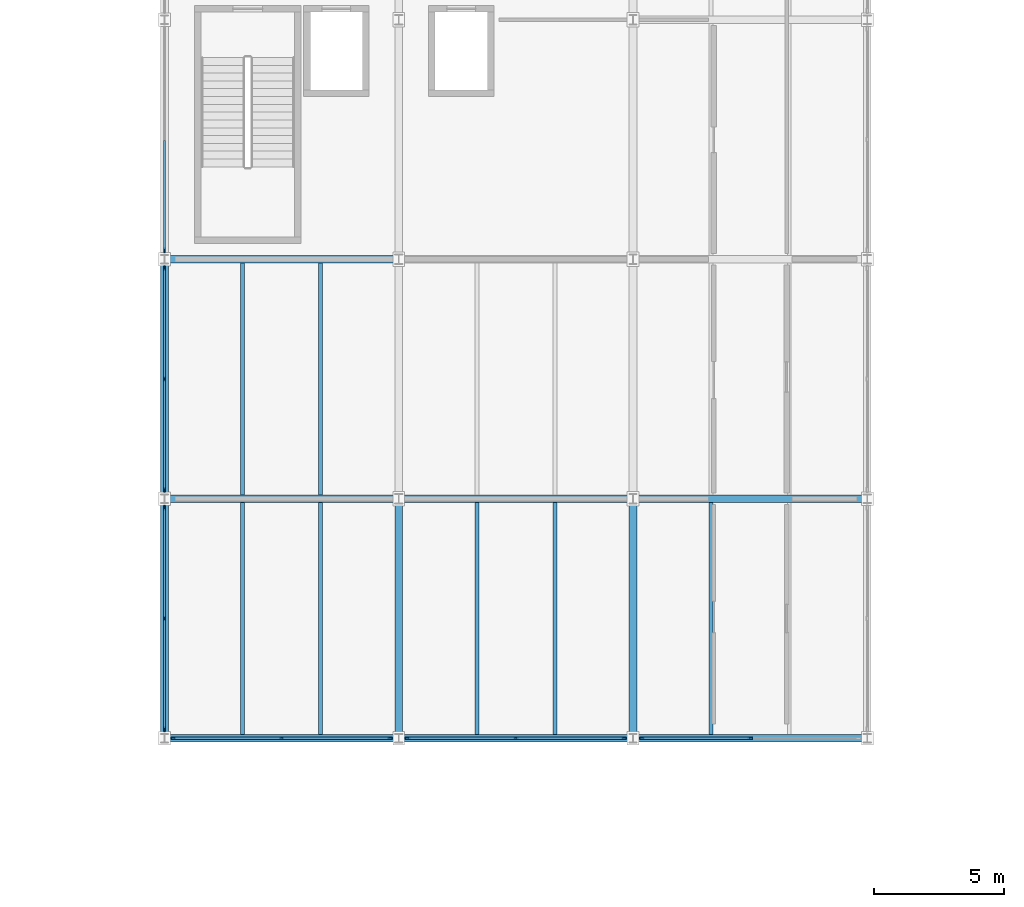
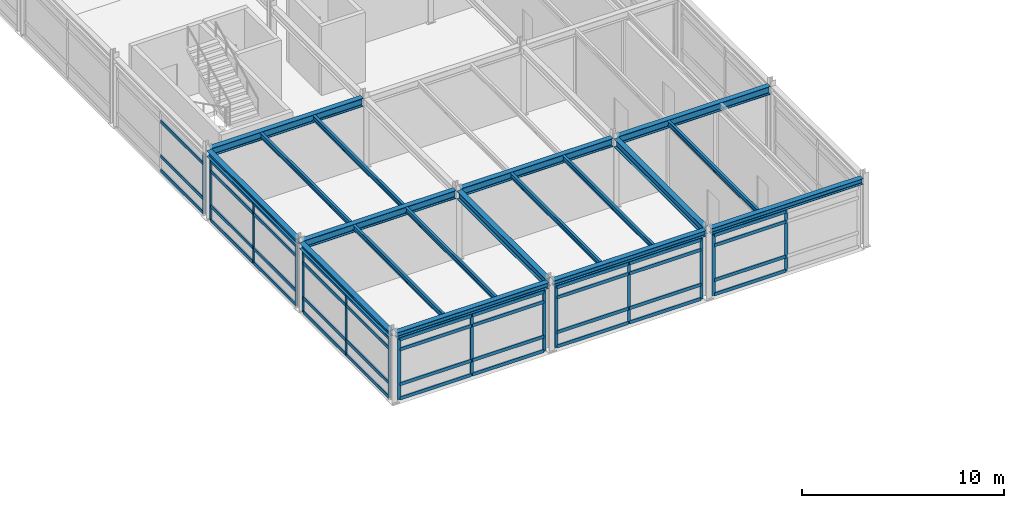
# One storey, part 17 of 55: 54 members, 18 beams, 6 elements without a shape of their own.
"""IFC4 building model written with IfcOpenShell, lengths in metres."""

from ifc_helpers import new_model, si_unit, direction, frame, origin, origin_2d, place, context, subcontext, project, spatial, rectangle, i_section, extrude, material, material_profile, profile_set, type_object, element, aggregate, save


model = new_model("IFC4")

# Units and contexts
model_context = context("Model", 3, precision=1e-05, world=origin(), true_north=direction((0.0, 1.0)))
body_context = subcontext(model_context, "Body", "Model", "MODEL_VIEW")
ifc_project = project(units=[si_unit("LENGTHUNIT", "METRE"), si_unit("AREAUNIT", "SQUARE_METRE"), si_unit("VOLUMEUNIT", "CUBIC_METRE"), si_unit("PLANEANGLEUNIT", "RADIAN"), si_unit("MASSUNIT", "GRAM", prefix="KILO")], contexts=[model_context])

# Site, building, storey
site_placement = place(None, origin())
site = spatial("IfcSite", under=ifc_project, at=site_placement, CompositionType="ELEMENT")
building_placement = place(site_placement, origin())
building = spatial("IfcBuilding", under=site, at=building_placement, Name="Bozkorgan Art Gallery", CompositionType="ELEMENT")
storey_placement = place(building_placement, frame((0.0, 0.0, 15.0)))
storey = spatial("IfcBuildingStorey", under=building, at=storey_placement, Name="L03", CompositionType="ELEMENT", Elevation=15.0)

# Beams
ifc_material_1 = material(Name="Steel S355J2", Category="steel")
ifc_material_profile_1 = material_profile(ifc_material_1, i_section(OverallWidth=0.300048828125, OverallDepth=0.489990234375, WebThickness=0.011962890625, FlangeThickness=0.02294921875, FilletRadius=0.027099609375, at=origin_2d()), Name="HEA 500")
ifc_profile_set_1 = profile_set([ifc_material_profile_1], Name="Steel S355J2")
beam_type_1 = type_object("IfcBeamType", Name="BEAM-BM-42", PredefinedType="BEAM", material=ifc_profile_set_1)
for number, where, z_axis, x_axis, name in (
    (1, (74.14990234375, 47.60009765625, 3.93505859375), (1.0, 0.0, 0.0), (0.0, 1.0, 0.0), "V4 L03 beam X (74-83, 47.6)"),
    (2, (83.14990234375, 47.60009765625, 3.93505859375), (1.0, 0.0, 0.0), (0.0, 1.0, 0.0), "V4 L03 beam X (83-92, 47.6)"),
    (3, (92.14990234375, 47.60009765625, 3.93505859375), (1.0, 0.0, 0.0), (0.0, 1.0, 0.0), "V4 L03 beam X (92-101, 47.6)"),
    (4, (74.14990234375, 56.800048828125, 3.93505859375), (1.0, 0.0, 0.0), (0.0, 1.0, 0.0), "V4 L03 beam X (74-83, 56.8)"),
):
    element("IfcBeam", number, at=place(storey_placement, frame(where, z_axis=z_axis, x_axis=x_axis)), inside=storey, type_object=beam_type_1, Name=name, PredefinedType="BEAM", context=body_context, shape_type="SweptSolid", body=[
        extrude(i_section(OverallWidth=0.300048828125, OverallDepth=0.489990234375, WebThickness=0.011962890625, FlangeThickness=0.02294921875, FilletRadius=0.027099609375, at=origin_2d()), origin(), (0.0, 0.0, 1.0), 8.7001953125),
    ])
for number, where, z_axis, x_axis, name in (
    (5, (83.0, 38.580078125, 3.93505859375), (0.0, 1.0, 0.0), (-1.0, 0.0, 0.0), "V4 L03 beam Y (83, 38.4-47.6)"),
    (6, (92.0, 38.580078125, 3.93505859375), (0.0, 1.0, 0.0), (-1.0, 0.0, 0.0), "V4 L03 beam Y (92, 38.4-47.6)"),
):
    element("IfcBeam", number, at=place(storey_placement, frame(where, z_axis=z_axis, x_axis=x_axis)), inside=storey, type_object=beam_type_1, Name=name, PredefinedType="BEAM", context=body_context, shape_type="SweptSolid", body=[
        extrude(i_section(OverallWidth=0.300048828125, OverallDepth=0.489990234375, WebThickness=0.011962890625, FlangeThickness=0.02294921875, FilletRadius=0.027099609375, at=origin_2d()), origin(), (0.0, 0.0, 1.0), 8.824951171875),
    ])
ifc_material_profile_2 = material_profile(ifc_material_1, i_section(OverallWidth=0.14990234375, OverallDepth=0.300048828125, WebThickness=0.007080078125, FlangeThickness=0.0107421875, FilletRadius=0.014892578125, at=origin_2d()), Name="IPE 300")
ifc_profile_set_2 = profile_set([ifc_material_profile_2], Name="Steel S355J2")
beam_type_2 = type_object("IfcBeamType", Name="BEAM-JS-88", PredefinedType="JOIST", material=ifc_profile_set_2)
for number, where, z_axis, x_axis, name in (
    (7, (77.0, 38.550048828125, 4.030029296875), (0.0, 1.0, 0.0), (-1.0, 0.0, 0.0), "V4 L03 secondary joist (74-83, 38.4-47.6) #1"),
    (8, (80.0, 38.550048828125, 4.030029296875), (0.0, 1.0, 0.0), (-1.0, 0.0, 0.0), "V4 L03 secondary joist (74-83, 38.4-47.6) #2"),
    (9, (77.0, 47.75, 4.030029296875), (0.0, 1.0, 0.0), (-1.0, 0.0, 0.0), "V4 L03 secondary joist (74-83, 47.6-56.8) #1"),
    (10, (80.0, 47.75, 4.030029296875), (0.0, 1.0, 0.0), (-1.0, 0.0, 0.0), "V4 L03 secondary joist (74-83, 47.6-56.8) #2"),
    (11, (86.0, 38.550048828125, 4.030029296875), (0.0, 1.0, 0.0), (-1.0, 0.0, 0.0), "V4 L03 secondary joist (83-92, 38.4-47.6) #1"),
    (12, (89.0, 38.550048828125, 4.030029296875), (0.0, 1.0, 0.0), (-1.0, 0.0, 0.0), "V4 L03 secondary joist (83-92, 38.4-47.6) #2"),
    (13, (95.0, 38.550048828125, 4.030029296875), (0.0, 1.0, 0.0), (-1.0, 0.0, 0.0), "V4 L03 secondary joist (92-101, 38.4-47.6) #1"),
):
    element("IfcBeam", number, at=place(storey_placement, frame(where, z_axis=z_axis, x_axis=x_axis)), inside=storey, type_object=beam_type_2, Name=name, PredefinedType="JOIST", context=body_context, shape_type="SweptSolid", body=[
        extrude(i_section(OverallWidth=0.14990234375, OverallDepth=0.300048828125, WebThickness=0.007080078125, FlangeThickness=0.0107421875, FilletRadius=0.014892578125, at=origin_2d()), origin(), (0.0, 0.0, 1.0), 8.89990234375),
    ])
ifc_material_profile_3 = material_profile(ifc_material_1, i_section(OverallWidth=0.300048828125, OverallDepth=0.35009765625, WebThickness=0.010009765625, FlangeThickness=0.017578125, FilletRadius=0.027099609375, at=origin_2d()), Name="HEA 360")
ifc_profile_set_3 = profile_set([ifc_material_profile_3], Name="Steel S355J2")
beam_type_3 = type_object("IfcBeamType", Name="BEAM-SP-97", PredefinedType="SPANDREL", material=ifc_profile_set_3)
for number, where, z_axis, x_axis, name in (
    (14, (74.14990234375, 38.39990234375, 4.0048828125), (1.0, 0.0, 0.0), (0.0, 1.0, 0.0), "V4 L03 spandrel X (74-83, 38.4)"),
    (15, (83.14990234375, 38.39990234375, 4.0048828125), (1.0, 0.0, 0.0), (0.0, 1.0, 0.0), "V4 L03 spandrel X (83-92, 38.4)"),
    (16, (92.14990234375, 38.39990234375, 4.0048828125), (1.0, 0.0, 0.0), (0.0, 1.0, 0.0), "V4 L03 spandrel X (92-101, 38.4)"),
):
    element("IfcBeam", number, at=place(storey_placement, frame(where, z_axis=z_axis, x_axis=x_axis)), inside=storey, type_object=beam_type_3, Name=name, PredefinedType="SPANDREL", context=body_context, shape_type="SweptSolid", body=[
        extrude(i_section(OverallWidth=0.300048828125, OverallDepth=0.35009765625, WebThickness=0.010009765625, FlangeThickness=0.017578125, FilletRadius=0.027099609375, at=origin_2d()), origin(), (0.0, 0.0, 1.0), 8.7001953125),
    ])
beam_1_placement = place(storey_placement, frame((74.0, 38.580078125, 4.0048828125), z_axis=(0.0, 1.0, 0.0), x_axis=(-1.0, 0.0, 0.0)))
element("IfcBeam", 17, at=beam_1_placement, inside=storey, type_object=beam_type_3, Name="V4 L03 spandrel Y (74, 38.4-47.6)", PredefinedType="SPANDREL", context=body_context, shape_type="SweptSolid", body=[
    extrude(i_section(OverallWidth=0.300048828125, OverallDepth=0.35009765625, WebThickness=0.010009765625, FlangeThickness=0.017578125, FilletRadius=0.027099609375, at=origin_2d()), origin(), (0.0, 0.0, 1.0), 8.83984375),
])
beam_2_placement = place(storey_placement, frame((74.0, 47.780029296875, 4.0048828125), z_axis=(0.0, 1.0, 0.0), x_axis=(-1.0, 0.0, 0.0)))
element("IfcBeam", 18, at=beam_2_placement, inside=storey, type_object=beam_type_3, Name="V4 L03 spandrel Y (74, 47.6-56.8)", PredefinedType="SPANDREL", context=body_context, shape_type="SweptSolid", body=[
    extrude(i_section(OverallWidth=0.300048828125, OverallDepth=0.35009765625, WebThickness=0.010009765625, FlangeThickness=0.017578125, FilletRadius=0.027099609375, at=origin_2d()), origin(), (0.0, 0.0, 1.0), 8.840087890625),
])

# Curtain wall, members
ifc_material_2 = material(Name="Anodised Bronze Aluminium", Category="aluminium")
curtain_wall_type_1 = type_object("IfcCurtainWallType", Name="CW-CW-32", PredefinedType="NOTDEFINED", material=ifc_material_2)
curtain_wall_1_placement = place(storey_placement, origin())
curtain_wall_1 = element("IfcCurtainWall", 19, at=curtain_wall_1_placement, inside=storey, type_object=curtain_wall_type_1, Name="L03 unitised curtain wall CW-V4-L03-1S-01", PredefinedType="NOTDEFINED")
ifc_material_profile_4 = material_profile(ifc_material_2, rectangle(XDim=0.06494140625, YDim=0.179931640625, at=origin_2d()), Name="ALU MULLION 65x180")
ifc_profile_set_4 = profile_set([ifc_material_profile_4], Name="Anodised Bronze Aluminium")
member_type_1 = type_object("IfcMemberType", Name="CWM-01", PredefinedType="MULLION", material=ifc_profile_set_4)
member_1_placement = place(storey_placement, frame((74.347412109375, 38.39990234375, 0.02001953125), z_axis=(0.0, 0.0, 1.0), x_axis=(0.0, 1.0, 0.0)))
member_1 = element("IfcMember", 20, at=member_1_placement, type_object=member_type_1, Name="CW-32 mullion 1", PredefinedType="MULLION", context=body_context, shape_type="SweptSolid", body=[
    extrude(rectangle(XDim=0.06494140625, YDim=0.179931640625, at=origin_2d()), origin(), (0.0, 0.0, 1.0), 3.655029296875),
])
member_2_placement = place(storey_placement, frame((78.5, 38.39990234375, 0.02001953125), z_axis=(0.0, 0.0, 1.0), x_axis=(0.0, 1.0, 0.0)))
member_2 = element("IfcMember", 21, at=member_2_placement, type_object=member_type_1, Name="CW-32 mullion 2", PredefinedType="MULLION", context=body_context, shape_type="SweptSolid", body=[
    extrude(rectangle(XDim=0.06494140625, YDim=0.179931640625, at=origin_2d()), origin(), (0.0, 0.0, 1.0), 3.655029296875),
])
member_3_placement = place(storey_placement, frame((82.652587890625, 38.39990234375, 0.02001953125), z_axis=(0.0, 0.0, 1.0), x_axis=(0.0, 1.0, 0.0)))
member_3 = element("IfcMember", 22, at=member_3_placement, type_object=member_type_1, Name="CW-32 mullion 3", PredefinedType="MULLION", context=body_context, shape_type="SweptSolid", body=[
    extrude(rectangle(XDim=0.06494140625, YDim=0.179931640625, at=origin_2d()), origin(), (0.0, 0.0, 1.0), 3.655029296875),
])

curtain_wall_2_placement = place(storey_placement, origin())
curtain_wall_2 = element("IfcCurtainWall", 23, at=curtain_wall_2_placement, inside=storey, type_object=curtain_wall_type_1, Name="L03 unitised curtain wall CW-V4-L03-1S-03", PredefinedType="NOTDEFINED")
member_4_placement = place(storey_placement, frame((83.347412109375, 38.39990234375, 0.02001953125), z_axis=(0.0, 0.0, 1.0), x_axis=(0.0, 1.0, 0.0)))
member_4 = element("IfcMember", 24, at=member_4_placement, type_object=member_type_1, Name="CW-32 mullion 1", PredefinedType="MULLION", context=body_context, shape_type="SweptSolid", body=[
    extrude(rectangle(XDim=0.06494140625, YDim=0.179931640625, at=origin_2d()), origin(), (0.0, 0.0, 1.0), 3.655029296875),
])
member_5_placement = place(storey_placement, frame((87.5, 38.39990234375, 0.02001953125), z_axis=(0.0, 0.0, 1.0), x_axis=(0.0, 1.0, 0.0)))
member_5 = element("IfcMember", 25, at=member_5_placement, type_object=member_type_1, Name="CW-32 mullion 2", PredefinedType="MULLION", context=body_context, shape_type="SweptSolid", body=[
    extrude(rectangle(XDim=0.06494140625, YDim=0.179931640625, at=origin_2d()), origin(), (0.0, 0.0, 1.0), 3.655029296875),
])
member_6_placement = place(storey_placement, frame((91.652587890625, 38.39990234375, 0.02001953125), z_axis=(0.0, 0.0, 1.0), x_axis=(0.0, 1.0, 0.0)))
member_6 = element("IfcMember", 26, at=member_6_placement, type_object=member_type_1, Name="CW-32 mullion 3", PredefinedType="MULLION", context=body_context, shape_type="SweptSolid", body=[
    extrude(rectangle(XDim=0.06494140625, YDim=0.179931640625, at=origin_2d()), origin(), (0.0, 0.0, 1.0), 3.655029296875),
])

curtain_wall_3_placement = place(storey_placement, origin())
curtain_wall_3 = element("IfcCurtainWall", 27, at=curtain_wall_3_placement, inside=storey, type_object=curtain_wall_type_1, Name="L03 unitised curtain wall CW-V4-L03-1S-05", PredefinedType="NOTDEFINED")
member_7_placement = place(storey_placement, frame((92.347412109375, 38.39990234375, 0.02001953125), z_axis=(0.0, 0.0, 1.0), x_axis=(0.0, 1.0, 0.0)))
member_7 = element("IfcMember", 28, at=member_7_placement, type_object=member_type_1, Name="CW-32 mullion 1", PredefinedType="MULLION", context=body_context, shape_type="SweptSolid", body=[
    extrude(rectangle(XDim=0.06494140625, YDim=0.179931640625, at=origin_2d()), origin(), (0.0, 0.0, 1.0), 3.655029296875),
])
member_8_placement = place(storey_placement, frame((96.5, 38.39990234375, 0.02001953125), z_axis=(0.0, 0.0, 1.0), x_axis=(0.0, 1.0, 0.0)))
member_8 = element("IfcMember", 29, at=member_8_placement, type_object=member_type_1, Name="CW-32 mullion 2", PredefinedType="MULLION", context=body_context, shape_type="SweptSolid", body=[
    extrude(rectangle(XDim=0.06494140625, YDim=0.179931640625, at=origin_2d()), origin(), (0.0, 0.0, 1.0), 3.655029296875),
])

curtain_wall_type_2 = type_object("IfcCurtainWallType", Name="CW-CW-59", PredefinedType="NOTDEFINED", material=ifc_material_2)
curtain_wall_4_placement = place(storey_placement, origin())
curtain_wall_4 = element("IfcCurtainWall", 30, at=curtain_wall_4_placement, inside=storey, type_object=curtain_wall_type_2, Name="L03 unitised curtain wall CW-V4-L03-1W-07", PredefinedType="NOTDEFINED")
member_9_placement = place(storey_placement, frame((74.0, 38.74755859375, 0.02001953125), z_axis=(0.0, 0.0, 1.0), x_axis=(-1.0, 0.0, 0.0)))
member_9 = element("IfcMember", 31, at=member_9_placement, type_object=member_type_1, Name="CW-59 mullion 1", PredefinedType="MULLION", context=body_context, shape_type="SweptSolid", body=[
    extrude(rectangle(XDim=0.06494140625, YDim=0.179931640625, at=origin_2d()), origin(), (0.0, 0.0, 1.0), 3.655029296875),
])
member_10_placement = place(storey_placement, frame((74.0, 43.0, 0.02001953125), z_axis=(0.0, 0.0, 1.0), x_axis=(-1.0, 0.0, 0.0)))
member_10 = element("IfcMember", 32, at=member_10_placement, type_object=member_type_1, Name="CW-59 mullion 2", PredefinedType="MULLION", context=body_context, shape_type="SweptSolid", body=[
    extrude(rectangle(XDim=0.06494140625, YDim=0.179931640625, at=origin_2d()), origin(), (0.0, 0.0, 1.0), 3.655029296875),
])
member_11_placement = place(storey_placement, frame((74.0, 47.25244140625, 0.02001953125), z_axis=(0.0, 0.0, 1.0), x_axis=(-1.0, 0.0, 0.0)))
member_11 = element("IfcMember", 33, at=member_11_placement, type_object=member_type_1, Name="CW-59 mullion 3", PredefinedType="MULLION", context=body_context, shape_type="SweptSolid", body=[
    extrude(rectangle(XDim=0.06494140625, YDim=0.179931640625, at=origin_2d()), origin(), (0.0, 0.0, 1.0), 3.655029296875),
])

curtain_wall_5_placement = place(storey_placement, origin())
curtain_wall_5 = element("IfcCurtainWall", 34, at=curtain_wall_5_placement, inside=storey, type_object=curtain_wall_type_2, Name="L03 unitised curtain wall CW-V4-L03-1W-09", PredefinedType="NOTDEFINED")
member_12_placement = place(storey_placement, frame((74.0, 47.947509765625, 0.02001953125), z_axis=(0.0, 0.0, 1.0), x_axis=(-1.0, 0.0, 0.0)))
member_12 = element("IfcMember", 35, at=member_12_placement, type_object=member_type_1, Name="CW-59 mullion 1", PredefinedType="MULLION", context=body_context, shape_type="SweptSolid", body=[
    extrude(rectangle(XDim=0.06494140625, YDim=0.179931640625, at=origin_2d()), origin(), (0.0, 0.0, 1.0), 3.655029296875),
])
member_13_placement = place(storey_placement, frame((74.0, 52.199951171875, 0.02001953125), z_axis=(0.0, 0.0, 1.0), x_axis=(-1.0, 0.0, 0.0)))
member_13 = element("IfcMember", 36, at=member_13_placement, type_object=member_type_1, Name="CW-59 mullion 2", PredefinedType="MULLION", context=body_context, shape_type="SweptSolid", body=[
    extrude(rectangle(XDim=0.06494140625, YDim=0.179931640625, at=origin_2d()), origin(), (0.0, 0.0, 1.0), 3.655029296875),
])
member_14_placement = place(storey_placement, frame((74.0, 56.452392578125, 0.02001953125), z_axis=(0.0, 0.0, 1.0), x_axis=(-1.0, 0.0, 0.0)))
member_14 = element("IfcMember", 37, at=member_14_placement, type_object=member_type_1, Name="CW-59 mullion 3", PredefinedType="MULLION", context=body_context, shape_type="SweptSolid", body=[
    extrude(rectangle(XDim=0.06494140625, YDim=0.179931640625, at=origin_2d()), origin(), (0.0, 0.0, 1.0), 3.655029296875),
])

# Curtain wall, member
curtain_wall_6_placement = place(storey_placement, origin())
curtain_wall_6 = element("IfcCurtainWall", 38, at=curtain_wall_6_placement, inside=storey, type_object=curtain_wall_type_2, Name="L03 unitised curtain wall CW-V4-L03-1W-11", PredefinedType="NOTDEFINED")
member_15_placement = place(storey_placement, frame((74.0, 57.1474609375, 0.02001953125), z_axis=(0.0, 0.0, 1.0), x_axis=(-1.0, 0.0, 0.0)))
member_15 = element("IfcMember", 39, at=member_15_placement, type_object=member_type_1, Name="CW-59 mullion 1", PredefinedType="MULLION", context=body_context, shape_type="SweptSolid", body=[
    extrude(rectangle(XDim=0.06494140625, YDim=0.179931640625, at=origin_2d()), origin(), (0.0, 0.0, 1.0), 3.655029296875),
])

# Member
ifc_material_profile_5 = material_profile(ifc_material_2, rectangle(XDim=0.080078125, YDim=0.199951171875, at=origin_2d()), Name="ALU TRANSOM 80x200")
ifc_profile_set_5 = profile_set([ifc_material_profile_5], Name="Anodised Bronze Aluminium")
member_type_2 = type_object("IfcMemberType", Name="CWT-03", PredefinedType="USERDEFINED", material=ifc_profile_set_5)
member_16_placement = place(storey_placement, frame((74.3798828125, 38.39990234375, 0.06005859375), z_axis=(1.0, 0.0, 0.0), x_axis=(0.0, 1.0, 0.0)))
member_16 = element("IfcMember", 40, at=member_16_placement, type_object=member_type_2, Name="CW-32 transom 1.1", ObjectType="TRANSOM", PredefinedType="USERDEFINED", context=body_context, shape_type="SweptSolid", body=[
    extrude(rectangle(XDim=0.080078125, YDim=0.199951171875, at=origin_2d()), origin(), (0.0, 0.0, 1.0), 4.087646484375),
])

member_17_placement = place(storey_placement, frame((74.3798828125, 38.39990234375, 0.919921875), z_axis=(1.0, 0.0, 0.0), x_axis=(0.0, 1.0, 0.0)))
member_17 = element("IfcMember", 41, at=member_17_placement, type_object=member_type_2, Name="CW-32 transom 1.2", ObjectType="TRANSOM", PredefinedType="USERDEFINED", context=body_context, shape_type="SweptSolid", body=[
    extrude(rectangle(XDim=0.080078125, YDim=0.199951171875, at=origin_2d()), origin(), (0.0, 0.0, 1.0), 4.087646484375),
])

member_18_placement = place(storey_placement, frame((74.3798828125, 38.39990234375, 3.02490234375), z_axis=(1.0, 0.0, 0.0), x_axis=(0.0, 1.0, 0.0)))
member_18 = element("IfcMember", 42, at=member_18_placement, type_object=member_type_2, Name="CW-32 transom 1.3", ObjectType="TRANSOM", PredefinedType="USERDEFINED", context=body_context, shape_type="SweptSolid", body=[
    extrude(rectangle(XDim=0.080078125, YDim=0.199951171875, at=origin_2d()), origin(), (0.0, 0.0, 1.0), 4.087646484375),
])

member_19_placement = place(storey_placement, frame((74.3798828125, 38.39990234375, 3.635009765625), z_axis=(1.0, 0.0, 0.0), x_axis=(0.0, 1.0, 0.0)))
member_19 = element("IfcMember", 43, at=member_19_placement, type_object=member_type_2, Name="CW-32 transom 1.4", ObjectType="TRANSOM", PredefinedType="USERDEFINED", context=body_context, shape_type="SweptSolid", body=[
    extrude(rectangle(XDim=0.080078125, YDim=0.199951171875, at=origin_2d()), origin(), (0.0, 0.0, 1.0), 4.087646484375),
])

member_20_placement = place(storey_placement, frame((78.532470703125, 38.39990234375, 0.06005859375), z_axis=(1.0, 0.0, 0.0), x_axis=(0.0, 1.0, 0.0)))
member_20 = element("IfcMember", 44, at=member_20_placement, type_object=member_type_2, Name="CW-32 transom 2.1", ObjectType="TRANSOM", PredefinedType="USERDEFINED", context=body_context, shape_type="SweptSolid", body=[
    extrude(rectangle(XDim=0.080078125, YDim=0.199951171875, at=origin_2d()), origin(), (0.0, 0.0, 1.0), 4.087646484375),
])

member_21_placement = place(storey_placement, frame((78.532470703125, 38.39990234375, 0.919921875), z_axis=(1.0, 0.0, 0.0), x_axis=(0.0, 1.0, 0.0)))
member_21 = element("IfcMember", 45, at=member_21_placement, type_object=member_type_2, Name="CW-32 transom 2.2", ObjectType="TRANSOM", PredefinedType="USERDEFINED", context=body_context, shape_type="SweptSolid", body=[
    extrude(rectangle(XDim=0.080078125, YDim=0.199951171875, at=origin_2d()), origin(), (0.0, 0.0, 1.0), 4.087646484375),
])

member_22_placement = place(storey_placement, frame((78.532470703125, 38.39990234375, 3.02490234375), z_axis=(1.0, 0.0, 0.0), x_axis=(0.0, 1.0, 0.0)))
member_22 = element("IfcMember", 46, at=member_22_placement, type_object=member_type_2, Name="CW-32 transom 2.3", ObjectType="TRANSOM", PredefinedType="USERDEFINED", context=body_context, shape_type="SweptSolid", body=[
    extrude(rectangle(XDim=0.080078125, YDim=0.199951171875, at=origin_2d()), origin(), (0.0, 0.0, 1.0), 4.087646484375),
])

member_23_placement = place(storey_placement, frame((78.532470703125, 38.39990234375, 3.635009765625), z_axis=(1.0, 0.0, 0.0), x_axis=(0.0, 1.0, 0.0)))
member_23 = element("IfcMember", 47, at=member_23_placement, type_object=member_type_2, Name="CW-32 transom 2.4", ObjectType="TRANSOM", PredefinedType="USERDEFINED", context=body_context, shape_type="SweptSolid", body=[
    extrude(rectangle(XDim=0.080078125, YDim=0.199951171875, at=origin_2d()), origin(), (0.0, 0.0, 1.0), 4.087646484375),
])

aggregate(curtain_wall_1, [member_1, member_2, member_3, member_16, member_17, member_18, member_19, member_20, member_21, member_22, member_23])

member_24_placement = place(storey_placement, frame((83.3798828125, 38.39990234375, 0.06005859375), z_axis=(1.0, 0.0, 0.0), x_axis=(0.0, 1.0, 0.0)))
member_24 = element("IfcMember", 48, at=member_24_placement, type_object=member_type_2, Name="CW-32 transom 1.1", ObjectType="TRANSOM", PredefinedType="USERDEFINED", context=body_context, shape_type="SweptSolid", body=[
    extrude(rectangle(XDim=0.080078125, YDim=0.199951171875, at=origin_2d()), origin(), (0.0, 0.0, 1.0), 4.087646484375),
])

member_25_placement = place(storey_placement, frame((83.3798828125, 38.39990234375, 0.919921875), z_axis=(1.0, 0.0, 0.0), x_axis=(0.0, 1.0, 0.0)))
member_25 = element("IfcMember", 49, at=member_25_placement, type_object=member_type_2, Name="CW-32 transom 1.2", ObjectType="TRANSOM", PredefinedType="USERDEFINED", context=body_context, shape_type="SweptSolid", body=[
    extrude(rectangle(XDim=0.080078125, YDim=0.199951171875, at=origin_2d()), origin(), (0.0, 0.0, 1.0), 4.087646484375),
])

member_26_placement = place(storey_placement, frame((83.3798828125, 38.39990234375, 3.02490234375), z_axis=(1.0, 0.0, 0.0), x_axis=(0.0, 1.0, 0.0)))
member_26 = element("IfcMember", 50, at=member_26_placement, type_object=member_type_2, Name="CW-32 transom 1.3", ObjectType="TRANSOM", PredefinedType="USERDEFINED", context=body_context, shape_type="SweptSolid", body=[
    extrude(rectangle(XDim=0.080078125, YDim=0.199951171875, at=origin_2d()), origin(), (0.0, 0.0, 1.0), 4.087646484375),
])

member_27_placement = place(storey_placement, frame((83.3798828125, 38.39990234375, 3.635009765625), z_axis=(1.0, 0.0, 0.0), x_axis=(0.0, 1.0, 0.0)))
member_27 = element("IfcMember", 51, at=member_27_placement, type_object=member_type_2, Name="CW-32 transom 1.4", ObjectType="TRANSOM", PredefinedType="USERDEFINED", context=body_context, shape_type="SweptSolid", body=[
    extrude(rectangle(XDim=0.080078125, YDim=0.199951171875, at=origin_2d()), origin(), (0.0, 0.0, 1.0), 4.087646484375),
])

member_28_placement = place(storey_placement, frame((87.532470703125, 38.39990234375, 0.06005859375), z_axis=(1.0, 0.0, 0.0), x_axis=(0.0, 1.0, 0.0)))
member_28 = element("IfcMember", 52, at=member_28_placement, type_object=member_type_2, Name="CW-32 transom 2.1", ObjectType="TRANSOM", PredefinedType="USERDEFINED", context=body_context, shape_type="SweptSolid", body=[
    extrude(rectangle(XDim=0.080078125, YDim=0.199951171875, at=origin_2d()), origin(), (0.0, 0.0, 1.0), 4.087646484375),
])

member_29_placement = place(storey_placement, frame((87.532470703125, 38.39990234375, 0.919921875), z_axis=(1.0, 0.0, 0.0), x_axis=(0.0, 1.0, 0.0)))
member_29 = element("IfcMember", 53, at=member_29_placement, type_object=member_type_2, Name="CW-32 transom 2.2", ObjectType="TRANSOM", PredefinedType="USERDEFINED", context=body_context, shape_type="SweptSolid", body=[
    extrude(rectangle(XDim=0.080078125, YDim=0.199951171875, at=origin_2d()), origin(), (0.0, 0.0, 1.0), 4.087646484375),
])

member_30_placement = place(storey_placement, frame((87.532470703125, 38.39990234375, 3.02490234375), z_axis=(1.0, 0.0, 0.0), x_axis=(0.0, 1.0, 0.0)))
member_30 = element("IfcMember", 54, at=member_30_placement, type_object=member_type_2, Name="CW-32 transom 2.3", ObjectType="TRANSOM", PredefinedType="USERDEFINED", context=body_context, shape_type="SweptSolid", body=[
    extrude(rectangle(XDim=0.080078125, YDim=0.199951171875, at=origin_2d()), origin(), (0.0, 0.0, 1.0), 4.087646484375),
])

member_31_placement = place(storey_placement, frame((87.532470703125, 38.39990234375, 3.635009765625), z_axis=(1.0, 0.0, 0.0), x_axis=(0.0, 1.0, 0.0)))
member_31 = element("IfcMember", 55, at=member_31_placement, type_object=member_type_2, Name="CW-32 transom 2.4", ObjectType="TRANSOM", PredefinedType="USERDEFINED", context=body_context, shape_type="SweptSolid", body=[
    extrude(rectangle(XDim=0.080078125, YDim=0.199951171875, at=origin_2d()), origin(), (0.0, 0.0, 1.0), 4.087646484375),
])

aggregate(curtain_wall_2, [member_4, member_5, member_6, member_24, member_25, member_26, member_27, member_28, member_29, member_30, member_31])

member_32_placement = place(storey_placement, frame((92.3798828125, 38.39990234375, 0.06005859375), z_axis=(1.0, 0.0, 0.0), x_axis=(0.0, 1.0, 0.0)))
member_32 = element("IfcMember", 56, at=member_32_placement, type_object=member_type_2, Name="CW-32 transom 1.1", ObjectType="TRANSOM", PredefinedType="USERDEFINED", context=body_context, shape_type="SweptSolid", body=[
    extrude(rectangle(XDim=0.080078125, YDim=0.199951171875, at=origin_2d()), origin(), (0.0, 0.0, 1.0), 4.087646484375),
])

member_33_placement = place(storey_placement, frame((92.3798828125, 38.39990234375, 0.919921875), z_axis=(1.0, 0.0, 0.0), x_axis=(0.0, 1.0, 0.0)))
member_33 = element("IfcMember", 57, at=member_33_placement, type_object=member_type_2, Name="CW-32 transom 1.2", ObjectType="TRANSOM", PredefinedType="USERDEFINED", context=body_context, shape_type="SweptSolid", body=[
    extrude(rectangle(XDim=0.080078125, YDim=0.199951171875, at=origin_2d()), origin(), (0.0, 0.0, 1.0), 4.087646484375),
])

member_34_placement = place(storey_placement, frame((92.3798828125, 38.39990234375, 3.02490234375), z_axis=(1.0, 0.0, 0.0), x_axis=(0.0, 1.0, 0.0)))
member_34 = element("IfcMember", 58, at=member_34_placement, type_object=member_type_2, Name="CW-32 transom 1.3", ObjectType="TRANSOM", PredefinedType="USERDEFINED", context=body_context, shape_type="SweptSolid", body=[
    extrude(rectangle(XDim=0.080078125, YDim=0.199951171875, at=origin_2d()), origin(), (0.0, 0.0, 1.0), 4.087646484375),
])

member_35_placement = place(storey_placement, frame((92.3798828125, 38.39990234375, 3.635009765625), z_axis=(1.0, 0.0, 0.0), x_axis=(0.0, 1.0, 0.0)))
member_35 = element("IfcMember", 59, at=member_35_placement, type_object=member_type_2, Name="CW-32 transom 1.4", ObjectType="TRANSOM", PredefinedType="USERDEFINED", context=body_context, shape_type="SweptSolid", body=[
    extrude(rectangle(XDim=0.080078125, YDim=0.199951171875, at=origin_2d()), origin(), (0.0, 0.0, 1.0), 4.087646484375),
])

aggregate(curtain_wall_3, [member_7, member_8, member_32, member_33, member_34, member_35])

member_36_placement = place(storey_placement, frame((74.0, 38.780029296875, 0.06005859375), z_axis=(0.0, 1.0, 0.0), x_axis=(-1.0, 0.0, 0.0)))
member_36 = element("IfcMember", 60, at=member_36_placement, type_object=member_type_2, Name="CW-59 transom 1.1", ObjectType="TRANSOM", PredefinedType="USERDEFINED", context=body_context, shape_type="SweptSolid", body=[
    extrude(rectangle(XDim=0.080078125, YDim=0.199951171875, at=origin_2d()), origin(), (0.0, 0.0, 1.0), 4.1875),
])

member_37_placement = place(storey_placement, frame((74.0, 38.780029296875, 0.919921875), z_axis=(0.0, 1.0, 0.0), x_axis=(-1.0, 0.0, 0.0)))
member_37 = element("IfcMember", 61, at=member_37_placement, type_object=member_type_2, Name="CW-59 transom 1.2", ObjectType="TRANSOM", PredefinedType="USERDEFINED", context=body_context, shape_type="SweptSolid", body=[
    extrude(rectangle(XDim=0.080078125, YDim=0.199951171875, at=origin_2d()), origin(), (0.0, 0.0, 1.0), 4.1875),
])

member_38_placement = place(storey_placement, frame((74.0, 38.780029296875, 3.02490234375), z_axis=(0.0, 1.0, 0.0), x_axis=(-1.0, 0.0, 0.0)))
member_38 = element("IfcMember", 62, at=member_38_placement, type_object=member_type_2, Name="CW-59 transom 1.3", ObjectType="TRANSOM", PredefinedType="USERDEFINED", context=body_context, shape_type="SweptSolid", body=[
    extrude(rectangle(XDim=0.080078125, YDim=0.199951171875, at=origin_2d()), origin(), (0.0, 0.0, 1.0), 4.1875),
])

member_39_placement = place(storey_placement, frame((74.0, 38.780029296875, 3.635009765625), z_axis=(0.0, 1.0, 0.0), x_axis=(-1.0, 0.0, 0.0)))
member_39 = element("IfcMember", 63, at=member_39_placement, type_object=member_type_2, Name="CW-59 transom 1.4", ObjectType="TRANSOM", PredefinedType="USERDEFINED", context=body_context, shape_type="SweptSolid", body=[
    extrude(rectangle(XDim=0.080078125, YDim=0.199951171875, at=origin_2d()), origin(), (0.0, 0.0, 1.0), 4.1875),
])

member_40_placement = place(storey_placement, frame((74.0, 43.032470703125, 0.06005859375), z_axis=(0.0, 1.0, 0.0), x_axis=(-1.0, 0.0, 0.0)))
member_40 = element("IfcMember", 64, at=member_40_placement, type_object=member_type_2, Name="CW-59 transom 2.1", ObjectType="TRANSOM", PredefinedType="USERDEFINED", context=body_context, shape_type="SweptSolid", body=[
    extrude(rectangle(XDim=0.080078125, YDim=0.199951171875, at=origin_2d()), origin(), (0.0, 0.0, 1.0), 4.1875),
])

member_41_placement = place(storey_placement, frame((74.0, 43.032470703125, 0.919921875), z_axis=(0.0, 1.0, 0.0), x_axis=(-1.0, 0.0, 0.0)))
member_41 = element("IfcMember", 65, at=member_41_placement, type_object=member_type_2, Name="CW-59 transom 2.2", ObjectType="TRANSOM", PredefinedType="USERDEFINED", context=body_context, shape_type="SweptSolid", body=[
    extrude(rectangle(XDim=0.080078125, YDim=0.199951171875, at=origin_2d()), origin(), (0.0, 0.0, 1.0), 4.1875),
])

member_42_placement = place(storey_placement, frame((74.0, 43.032470703125, 3.02490234375), z_axis=(0.0, 1.0, 0.0), x_axis=(-1.0, 0.0, 0.0)))
member_42 = element("IfcMember", 66, at=member_42_placement, type_object=member_type_2, Name="CW-59 transom 2.3", ObjectType="TRANSOM", PredefinedType="USERDEFINED", context=body_context, shape_type="SweptSolid", body=[
    extrude(rectangle(XDim=0.080078125, YDim=0.199951171875, at=origin_2d()), origin(), (0.0, 0.0, 1.0), 4.1875),
])

member_43_placement = place(storey_placement, frame((74.0, 43.032470703125, 3.635009765625), z_axis=(0.0, 1.0, 0.0), x_axis=(-1.0, 0.0, 0.0)))
member_43 = element("IfcMember", 67, at=member_43_placement, type_object=member_type_2, Name="CW-59 transom 2.4", ObjectType="TRANSOM", PredefinedType="USERDEFINED", context=body_context, shape_type="SweptSolid", body=[
    extrude(rectangle(XDim=0.080078125, YDim=0.199951171875, at=origin_2d()), origin(), (0.0, 0.0, 1.0), 4.1875),
])

aggregate(curtain_wall_4, [member_9, member_10, member_11, member_36, member_37, member_38, member_39, member_40, member_41, member_42, member_43])

member_44_placement = place(storey_placement, frame((74.0, 47.97998046875, 0.06005859375), z_axis=(0.0, 1.0, 0.0), x_axis=(-1.0, 0.0, 0.0)))
member_44 = element("IfcMember", 68, at=member_44_placement, type_object=member_type_2, Name="CW-59 transom 1.1", ObjectType="TRANSOM", PredefinedType="USERDEFINED", context=body_context, shape_type="SweptSolid", body=[
    extrude(rectangle(XDim=0.080078125, YDim=0.199951171875, at=origin_2d()), origin(), (0.0, 0.0, 1.0), 4.1875),
])

member_45_placement = place(storey_placement, frame((74.0, 47.97998046875, 0.919921875), z_axis=(0.0, 1.0, 0.0), x_axis=(-1.0, 0.0, 0.0)))
member_45 = element("IfcMember", 69, at=member_45_placement, type_object=member_type_2, Name="CW-59 transom 1.2", ObjectType="TRANSOM", PredefinedType="USERDEFINED", context=body_context, shape_type="SweptSolid", body=[
    extrude(rectangle(XDim=0.080078125, YDim=0.199951171875, at=origin_2d()), origin(), (0.0, 0.0, 1.0), 4.1875),
])

member_46_placement = place(storey_placement, frame((74.0, 47.97998046875, 3.02490234375), z_axis=(0.0, 1.0, 0.0), x_axis=(-1.0, 0.0, 0.0)))
member_46 = element("IfcMember", 70, at=member_46_placement, type_object=member_type_2, Name="CW-59 transom 1.3", ObjectType="TRANSOM", PredefinedType="USERDEFINED", context=body_context, shape_type="SweptSolid", body=[
    extrude(rectangle(XDim=0.080078125, YDim=0.199951171875, at=origin_2d()), origin(), (0.0, 0.0, 1.0), 4.1875),
])

member_47_placement = place(storey_placement, frame((74.0, 47.97998046875, 3.635009765625), z_axis=(0.0, 1.0, 0.0), x_axis=(-1.0, 0.0, 0.0)))
member_47 = element("IfcMember", 71, at=member_47_placement, type_object=member_type_2, Name="CW-59 transom 1.4", ObjectType="TRANSOM", PredefinedType="USERDEFINED", context=body_context, shape_type="SweptSolid", body=[
    extrude(rectangle(XDim=0.080078125, YDim=0.199951171875, at=origin_2d()), origin(), (0.0, 0.0, 1.0), 4.1875),
])

member_48_placement = place(storey_placement, frame((74.0, 52.232421875, 0.06005859375), z_axis=(0.0, 1.0, 0.0), x_axis=(-1.0, 0.0, 0.0)))
member_48 = element("IfcMember", 72, at=member_48_placement, type_object=member_type_2, Name="CW-59 transom 2.1", ObjectType="TRANSOM", PredefinedType="USERDEFINED", context=body_context, shape_type="SweptSolid", body=[
    extrude(rectangle(XDim=0.080078125, YDim=0.199951171875, at=origin_2d()), origin(), (0.0, 0.0, 1.0), 4.1875),
])

member_49_placement = place(storey_placement, frame((74.0, 52.232421875, 0.919921875), z_axis=(0.0, 1.0, 0.0), x_axis=(-1.0, 0.0, 0.0)))
member_49 = element("IfcMember", 73, at=member_49_placement, type_object=member_type_2, Name="CW-59 transom 2.2", ObjectType="TRANSOM", PredefinedType="USERDEFINED", context=body_context, shape_type="SweptSolid", body=[
    extrude(rectangle(XDim=0.080078125, YDim=0.199951171875, at=origin_2d()), origin(), (0.0, 0.0, 1.0), 4.1875),
])

member_50_placement = place(storey_placement, frame((74.0, 52.232421875, 3.02490234375), z_axis=(0.0, 1.0, 0.0), x_axis=(-1.0, 0.0, 0.0)))
member_50 = element("IfcMember", 74, at=member_50_placement, type_object=member_type_2, Name="CW-59 transom 2.3", ObjectType="TRANSOM", PredefinedType="USERDEFINED", context=body_context, shape_type="SweptSolid", body=[
    extrude(rectangle(XDim=0.080078125, YDim=0.199951171875, at=origin_2d()), origin(), (0.0, 0.0, 1.0), 4.1875),
])

member_51_placement = place(storey_placement, frame((74.0, 52.232421875, 3.635009765625), z_axis=(0.0, 1.0, 0.0), x_axis=(-1.0, 0.0, 0.0)))
member_51 = element("IfcMember", 75, at=member_51_placement, type_object=member_type_2, Name="CW-59 transom 2.4", ObjectType="TRANSOM", PredefinedType="USERDEFINED", context=body_context, shape_type="SweptSolid", body=[
    extrude(rectangle(XDim=0.080078125, YDim=0.199951171875, at=origin_2d()), origin(), (0.0, 0.0, 1.0), 4.1875),
])

aggregate(curtain_wall_5, [member_12, member_13, member_14, member_44, member_45, member_46, member_47, member_48, member_49, member_50, member_51])

member_52_placement = place(storey_placement, frame((74.0, 57.179931640625, 0.06005859375), z_axis=(0.0, 1.0, 0.0), x_axis=(-1.0, 0.0, 0.0)))
member_52 = element("IfcMember", 76, at=member_52_placement, type_object=member_type_2, Name="CW-59 transom 1.1", ObjectType="TRANSOM", PredefinedType="USERDEFINED", context=body_context, shape_type="SweptSolid", body=[
    extrude(rectangle(XDim=0.080078125, YDim=0.199951171875, at=origin_2d()), origin(), (0.0, 0.0, 1.0), 4.1875),
])

member_53_placement = place(storey_placement, frame((74.0, 57.179931640625, 0.919921875), z_axis=(0.0, 1.0, 0.0), x_axis=(-1.0, 0.0, 0.0)))
member_53 = element("IfcMember", 77, at=member_53_placement, type_object=member_type_2, Name="CW-59 transom 1.2", ObjectType="TRANSOM", PredefinedType="USERDEFINED", context=body_context, shape_type="SweptSolid", body=[
    extrude(rectangle(XDim=0.080078125, YDim=0.199951171875, at=origin_2d()), origin(), (0.0, 0.0, 1.0), 4.1875),
])

member_54_placement = place(storey_placement, frame((74.0, 57.179931640625, 3.02490234375), z_axis=(0.0, 1.0, 0.0), x_axis=(-1.0, 0.0, 0.0)))
member_54 = element("IfcMember", 78, at=member_54_placement, type_object=member_type_2, Name="CW-59 transom 1.3", ObjectType="TRANSOM", PredefinedType="USERDEFINED", context=body_context, shape_type="SweptSolid", body=[
    extrude(rectangle(XDim=0.080078125, YDim=0.199951171875, at=origin_2d()), origin(), (0.0, 0.0, 1.0), 4.1875),
])

aggregate(curtain_wall_6, [member_15, member_52, member_53, member_54])

save(model, "model.ifc")
